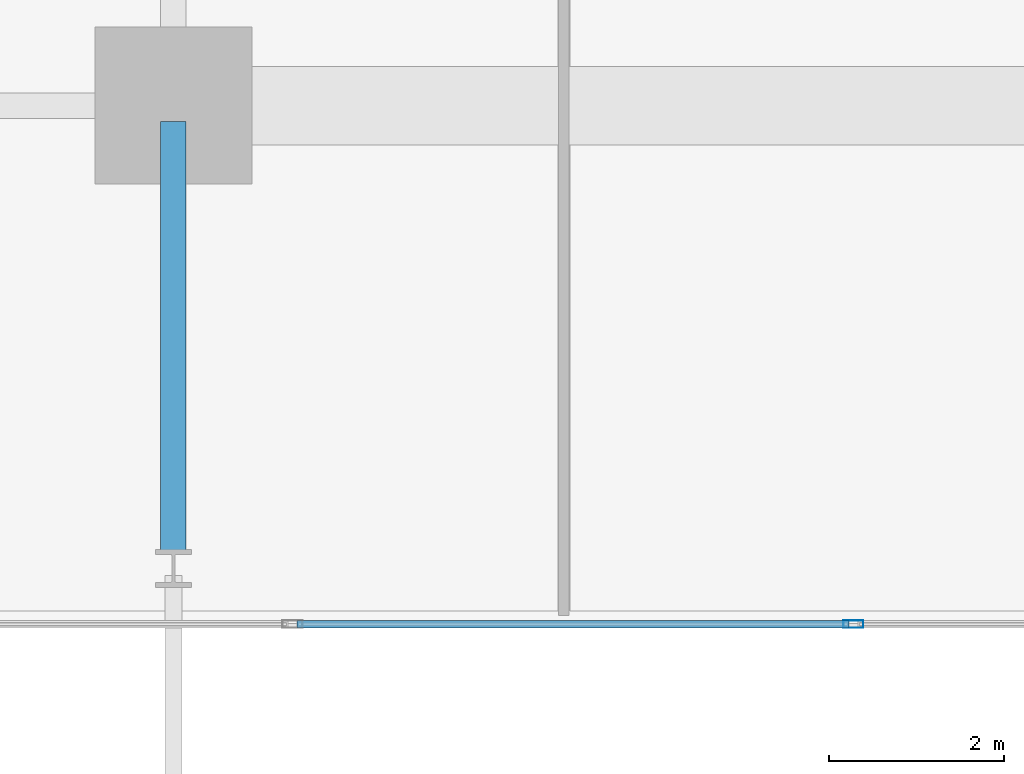
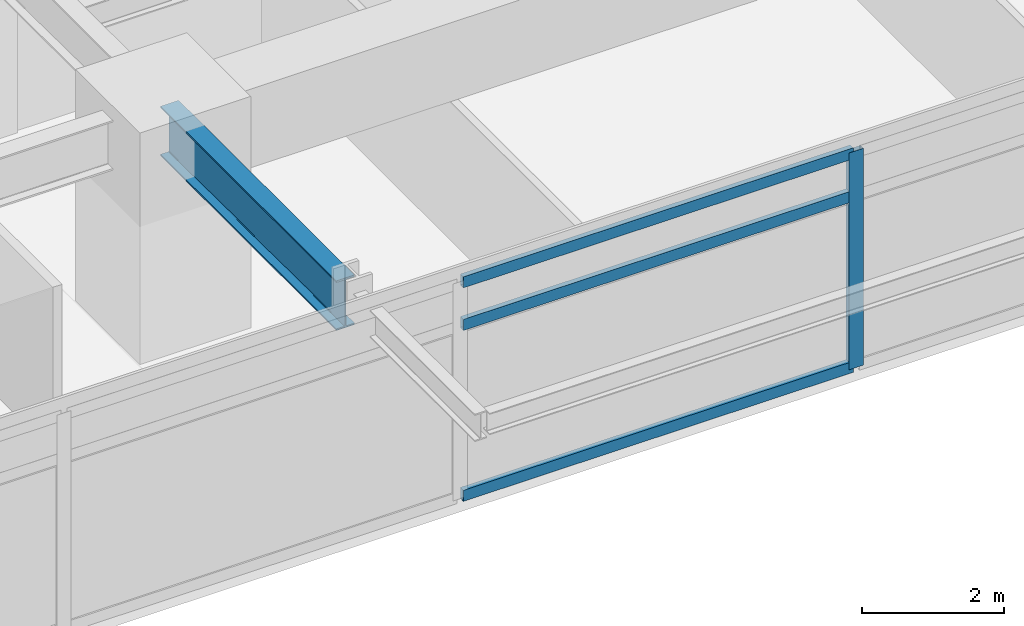
# One storey, part 3 of 19: 4 members, 1 beam, 1 element without a shape of its own.
"""IFC4 building model written with IfcOpenShell, lengths in metres."""

from ifc_helpers import new_model, si_unit, direction, frame, origin, origin_2d, place, context, subcontext, project, spatial, hollow_rectangle, i_section, extrude, material, material_profile, profile_set, type_object, element, aggregate, save


model = new_model("IFC4")

# Units and contexts
model_context = context("Model", 3, precision=1e-05, world=origin(), true_north=direction((0.0, 1.0)))
body_context = subcontext(model_context, "Body", "Model", "MODEL_VIEW")
ifc_project = project(units=[si_unit("LENGTHUNIT", "METRE"), si_unit("AREAUNIT", "SQUARE_METRE"), si_unit("VOLUMEUNIT", "CUBIC_METRE"), si_unit("PLANEANGLEUNIT", "RADIAN"), si_unit("MASSUNIT", "GRAM", prefix="KILO")], contexts=[model_context])

# Site, building, storey
site_placement = place(None, origin())
site = spatial("IfcSite", under=ifc_project, at=site_placement, CompositionType="ELEMENT")
building_placement = place(site_placement, origin())
building = spatial("IfcBuilding", under=site, at=building_placement, Name="Kovane Verandah Tower", CompositionType="ELEMENT")
storey_placement = place(building_placement, frame((0.0, 0.0, 83.60009765625)))
storey = spatial("IfcBuildingStorey", under=building, at=storey_placement, Name="L19", CompositionType="ELEMENT", Elevation=83.60009765625)

# Beam
ifc_material_1 = material(Name="Steel S355", Category="steel")
ifc_material_profile_1 = material_profile(ifc_material_1, i_section(OverallWidth=0.293701171875, OverallDepth=0.850830078125, WebThickness=0.01611328125, FlangeThickness=0.02685546875, FilletRadius=0.017822265625, at=origin_2d()), Name="UB838x292x226")
ifc_profile_set_1 = profile_set([ifc_material_profile_1], Name="Steel S355")
beam_type = type_object("IfcBeamType", Name="BM-UB838x226", PredefinedType="BEAM", material=ifc_profile_set_1)
beam_placement = place(storey_placement, frame((29.0, 10.6201171875, 3.33447265625), z_axis=(0.0, -1.0, 0.0), x_axis=(1.0, 0.0, 0.0)))
element("IfcBeam", 1, at=beam_placement, inside=storey, type_object=beam_type, Name="L19 Primary Tower Girder G-VS1", PredefinedType="BEAM", context=body_context, shape_type="SweptSolid", body=[
    extrude(i_section(OverallWidth=0.293701171875, OverallDepth=0.850830078125, WebThickness=0.01611328125, FlangeThickness=0.02685546875, FilletRadius=0.017822265625, at=origin_2d()), origin(), (0.0, 0.0, 1.0), 4.940185546875),
])

# Curtain wall, members
ifc_material_2 = material(Name="Champagne Anodised Aluminium Frame with Low-E Clear Laminated Glass", Category="aluminium")
curtain_wall_type = type_object("IfcCurtainWallType", Name="CW-SYS-02-LOW", PredefinedType="NOTDEFINED", material=ifc_material_2)
curtain_wall_placement = place(storey_placement, origin())
curtain_wall = element("IfcCurtainWall", 2, at=curtain_wall_placement, inside=storey, type_object=curtain_wall_type, Name="L19 S Unitised Curtain Wall", PredefinedType="NOTDEFINED")
ifc_material_3 = material(Name="Champagne Anodised Aluminium 6063-T6", Category="aluminium")
ifc_material_profile_2 = material_profile(ifc_material_3, hollow_rectangle(XDim=0.0849609375, YDim=0.22998046875, WallThickness=0.00390625, at=origin_2d()), Name="AL85x230x4")
ifc_profile_set_2 = profile_set([ifc_material_profile_2], Name="Champagne Anodised Aluminium 6063-T6")
member_type_1 = type_object("IfcMemberType", Name="CW-MUL-85x230", PredefinedType="MULLION", material=ifc_profile_set_2)
member_1_placement = place(storey_placement, frame((36.787841796875, 4.86083984375, 0.02001953125), z_axis=(0.0, 0.0, 1.0), x_axis=(0.0, -1.0, 0.0)))
member_1 = element("IfcMember", 3, at=member_1_placement, type_object=member_type_1, Name="L19 S Unitised Curtain Wall Mullion 4", PredefinedType="MULLION", context=body_context, shape_type="SweptSolid", body=[
    extrude(hollow_rectangle(XDim=0.0849609375, YDim=0.22998046875, WallThickness=0.00390625, at=origin_2d()), origin(), (0.0, 0.0, 1.0), 3.719970703125),
])
ifc_material_profile_3 = material_profile(ifc_material_3, hollow_rectangle(XDim=0.0849609375, YDim=0.18994140625, WallThickness=0.00390625, at=origin_2d()), Name="AL85x190x4")
ifc_profile_set_3 = profile_set([ifc_material_profile_3], Name="Champagne Anodised Aluminium 6063-T6")
member_type_2 = type_object("IfcMemberType", Name="CW-TRN-85x190", PredefinedType="USERDEFINED", material=ifc_profile_set_3)
member_2_placement = place(storey_placement, frame((30.413818359375, 4.86083984375, 0.0498046875), z_axis=(1.0, 0.0, 0.0), x_axis=(0.0, 1.0, 0.0)))
member_2 = element("IfcMember", 4, at=member_2_placement, type_object=member_type_2, Name="L19 S Unitised Curtain Wall Transom TB Bay 3", ObjectType="TRANSOM", PredefinedType="USERDEFINED", context=body_context, shape_type="SweptSolid", body=[
    extrude(hollow_rectangle(XDim=0.0849609375, YDim=0.18994140625, WallThickness=0.00390625, at=origin_2d()), origin(), (0.0, 0.0, 1.0), 6.323974609375),
])
member_3_placement = place(storey_placement, frame((30.413818359375, 4.86083984375, 2.97998046875), z_axis=(1.0, 0.0, 0.0), x_axis=(0.0, 1.0, 0.0)))
member_3 = element("IfcMember", 5, at=member_3_placement, type_object=member_type_2, Name="L19 S Unitised Curtain Wall Transom TM Bay 3", ObjectType="TRANSOM", PredefinedType="USERDEFINED", context=body_context, shape_type="SweptSolid", body=[
    extrude(hollow_rectangle(XDim=0.0849609375, YDim=0.18994140625, WallThickness=0.00390625, at=origin_2d()), origin(), (0.0, 0.0, 1.0), 6.323974609375),
])
member_4_placement = place(storey_placement, frame((30.413818359375, 4.86083984375, 3.7099609375), z_axis=(1.0, 0.0, 0.0), x_axis=(0.0, 1.0, 0.0)))
member_4 = element("IfcMember", 6, at=member_4_placement, type_object=member_type_2, Name="L19 S Unitised Curtain Wall Transom TT Bay 3", ObjectType="TRANSOM", PredefinedType="USERDEFINED", context=body_context, shape_type="SweptSolid", body=[
    extrude(hollow_rectangle(XDim=0.0849609375, YDim=0.18994140625, WallThickness=0.00390625, at=origin_2d()), origin(), (0.0, 0.0, 1.0), 6.323974609375),
])
aggregate(curtain_wall, [member_1, member_2, member_3, member_4])

save(model, "model.ifc")
